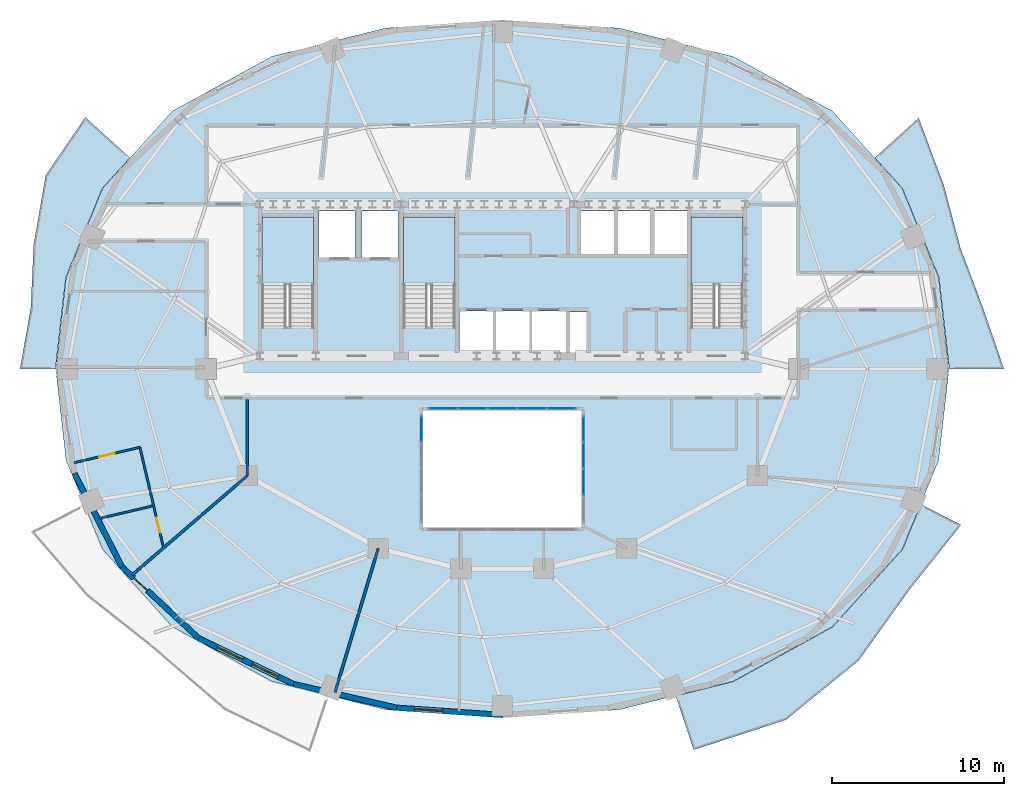
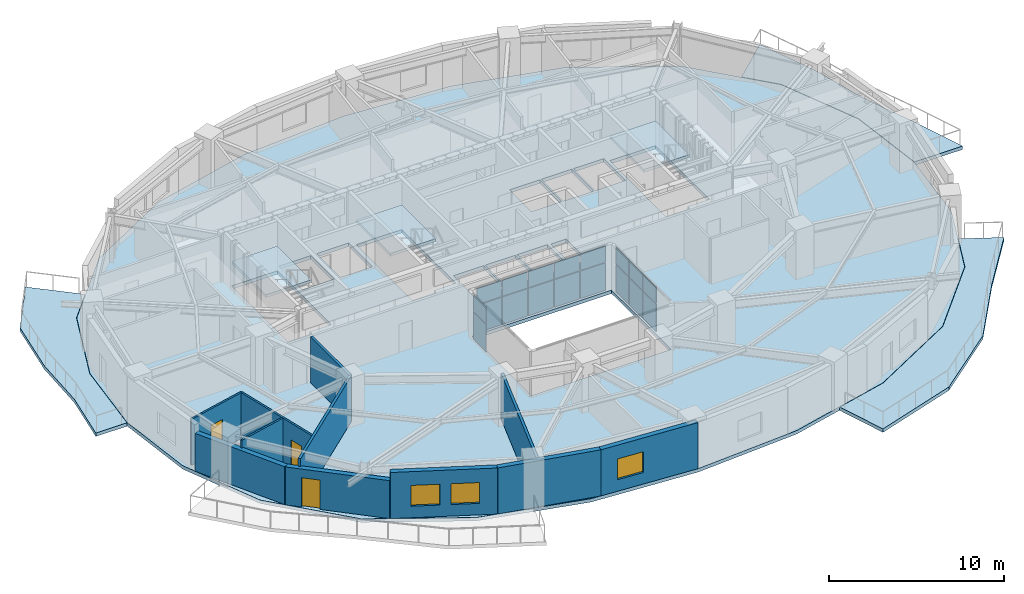
# One storey, part 5 of 13: 18 plates, 11 walls, 7 slabs, 3 doors, 3 windows, 6 openings, 6 elements without a shape of their own.
"""IFC4 building model written with IfcOpenShell, lengths in metres."""

from ifc_helpers import new_model, si_unit, direction, frame, frame_2d, origin, origin_2d, place, context, subcontext, project, spatial, polyline, rectangle, outline, extrude, material, layer, layer_set, type_object, element, fill, aggregate, save


model = new_model("IFC4")

# Units and contexts
model_context = context("Model", 3, precision=1e-05, world=origin(), true_north=direction((0.0, 1.0)))
body_context = subcontext(model_context, "Body", "Model", "MODEL_VIEW")
ifc_project = project(units=[si_unit("LENGTHUNIT", "METRE"), si_unit("AREAUNIT", "SQUARE_METRE"), si_unit("VOLUMEUNIT", "CUBIC_METRE"), si_unit("PLANEANGLEUNIT", "RADIAN"), si_unit("MASSUNIT", "GRAM", prefix="KILO")], contexts=[model_context])

# Site, building, storey
site_placement = place(None, origin())
site = spatial("IfcSite", under=ifc_project, at=site_placement, CompositionType="ELEMENT")
building_placement = place(site_placement, origin())
building = spatial("IfcBuilding", under=site, at=building_placement, Name="Haldorwick Loom Tower", CompositionType="ELEMENT")
storey_placement = place(building_placement, frame((0.0, 0.0, 175.14990234375)))
storey = spatial("IfcBuildingStorey", under=building, at=storey_placement, Name="L47", CompositionType="ELEMENT", Elevation=175.14990234375)

# Curtain wall, plates
ifc_material_1 = material(Name="Thermally Broken Anodized Aluminium Curtain Wall Framing", Category="aluminium")
curtain_wall_type = type_object("IfcCurtainWallType", Name="ARC-CW-03", PredefinedType="NOTDEFINED", material=ifc_material_1)
curtain_wall_1_placement = place(storey_placement, origin())
curtain_wall_1 = element("IfcCurtainWall", 1, at=curtain_wall_1_placement, inside=storey, type_object=curtain_wall_type, Name="L47 Atrium Glazed Screen N", PredefinedType="NOTDEFINED")
ifc_material_2 = material(Name="Triple-Glazed Low-E Argon Insulated Glazing Unit", Category="glass")
ifc_layer_1 = layer(ifc_material_2, 0.04296875, Name="Triple-Glazed Low-E Argon Insulated Glazing Unit", Category="glass")
ifc_layer_set_1 = layer_set([ifc_layer_1], Name="Triple-Glazed Low-E Argon Insulated Glazing Unit")
plate_type = type_object("IfcPlateType", Name="ARC-CWP-03", PredefinedType="CURTAIN_PANEL", material=ifc_layer_set_1)
plate_1_placement = place(storey_placement, frame((32.576416015625, 23.699951171875, 0.066162109375), z_axis=(0.0, 0.0, 1.0), x_axis=(1.0, 0.0, 0.0)))
plate_1 = element("IfcPlate", 2, at=plate_1_placement, type_object=plate_type, Name="CW-03 panel 1.1", PredefinedType="CURTAIN_PANEL", context=body_context, shape_type="SweptSolid", body=[
    extrude(rectangle(XDim=1.62109375, YDim=0.04296875, at=origin_2d()), origin(), (0.0, 0.0, 1.0), 1.90087890625),
])
plate_2_placement = place(storey_placement, frame((32.576416015625, 23.699951171875, 2.033203125), z_axis=(0.0, 0.0, 1.0), x_axis=(1.0, 0.0, 0.0)))
plate_2 = element("IfcPlate", 3, at=plate_2_placement, type_object=plate_type, Name="CW-03 panel 1.2", PredefinedType="CURTAIN_PANEL", context=body_context, shape_type="SweptSolid", body=[
    extrude(rectangle(XDim=1.62109375, YDim=0.04296875, at=origin_2d()), origin(), (0.0, 0.0, 1.0), 1.111083984375),
])
plate_3_placement = place(storey_placement, frame((34.280029296875, 23.699951171875, 0.066162109375), z_axis=(0.0, 0.0, 1.0), x_axis=(1.0, 0.0, 0.0)))
plate_3 = element("IfcPlate", 4, at=plate_3_placement, type_object=plate_type, Name="CW-03 panel 2.1", PredefinedType="CURTAIN_PANEL", context=body_context, shape_type="SweptSolid", body=[
    extrude(rectangle(XDim=1.654052734375, YDim=0.04296875, at=origin_2d()), origin(), (0.0, 0.0, 1.0), 1.90087890625),
])
plate_4_placement = place(storey_placement, frame((34.280029296875, 23.699951171875, 2.033203125), z_axis=(0.0, 0.0, 1.0), x_axis=(1.0, 0.0, 0.0)))
plate_4 = element("IfcPlate", 5, at=plate_4_placement, type_object=plate_type, Name="CW-03 panel 2.2", PredefinedType="CURTAIN_PANEL", context=body_context, shape_type="SweptSolid", body=[
    extrude(rectangle(XDim=1.654052734375, YDim=0.04296875, at=origin_2d()), origin(), (0.0, 0.0, 1.0), 1.111083984375),
])
plate_5_placement = place(storey_placement, frame((36.0, 23.699951171875, 0.066162109375), z_axis=(0.0, 0.0, 1.0), x_axis=(1.0, 0.0, 0.0)))
plate_5 = element("IfcPlate", 6, at=plate_5_placement, type_object=plate_type, Name="CW-03 panel 3.1", PredefinedType="CURTAIN_PANEL", context=body_context, shape_type="SweptSolid", body=[
    extrude(rectangle(XDim=1.654052734375, YDim=0.04296875, at=origin_2d()), origin(), (0.0, 0.0, 1.0), 1.90087890625),
])
plate_6_placement = place(storey_placement, frame((36.0, 23.699951171875, 2.033203125), z_axis=(0.0, 0.0, 1.0), x_axis=(1.0, 0.0, 0.0)))
plate_6 = element("IfcPlate", 7, at=plate_6_placement, type_object=plate_type, Name="CW-03 panel 3.2", PredefinedType="CURTAIN_PANEL", context=body_context, shape_type="SweptSolid", body=[
    extrude(rectangle(XDim=1.654052734375, YDim=0.04296875, at=origin_2d()), origin(), (0.0, 0.0, 1.0), 1.111083984375),
])
plate_7_placement = place(storey_placement, frame((37.719970703125, 23.699951171875, 0.066162109375), z_axis=(0.0, 0.0, 1.0), x_axis=(1.0, 0.0, 0.0)))
plate_7 = element("IfcPlate", 8, at=plate_7_placement, type_object=plate_type, Name="CW-03 panel 4.1", PredefinedType="CURTAIN_PANEL", context=body_context, shape_type="SweptSolid", body=[
    extrude(rectangle(XDim=1.654052734375, YDim=0.04296875, at=origin_2d()), origin(), (0.0, 0.0, 1.0), 1.90087890625),
])
plate_8_placement = place(storey_placement, frame((37.719970703125, 23.699951171875, 2.033203125), z_axis=(0.0, 0.0, 1.0), x_axis=(1.0, 0.0, 0.0)))
plate_8 = element("IfcPlate", 9, at=plate_8_placement, type_object=plate_type, Name="CW-03 panel 4.2", PredefinedType="CURTAIN_PANEL", context=body_context, shape_type="SweptSolid", body=[
    extrude(rectangle(XDim=1.654052734375, YDim=0.04296875, at=origin_2d()), origin(), (0.0, 0.0, 1.0), 1.111083984375),
])
plate_9_placement = place(storey_placement, frame((39.423583984375, 23.699951171875, 0.066162109375), z_axis=(0.0, 0.0, 1.0), x_axis=(1.0, 0.0, 0.0)))
plate_9 = element("IfcPlate", 10, at=plate_9_placement, type_object=plate_type, Name="CW-03 panel 5.1", PredefinedType="CURTAIN_PANEL", context=body_context, shape_type="SweptSolid", body=[
    extrude(rectangle(XDim=1.62109375, YDim=0.04296875, at=origin_2d()), origin(), (0.0, 0.0, 1.0), 1.90087890625),
])
plate_10_placement = place(storey_placement, frame((39.423583984375, 23.699951171875, 2.033203125), z_axis=(0.0, 0.0, 1.0), x_axis=(1.0, 0.0, 0.0)))
plate_10 = element("IfcPlate", 11, at=plate_10_placement, type_object=plate_type, Name="CW-03 panel 5.2", PredefinedType="CURTAIN_PANEL", context=body_context, shape_type="SweptSolid", body=[
    extrude(rectangle(XDim=1.62109375, YDim=0.04296875, at=origin_2d()), origin(), (0.0, 0.0, 1.0), 1.111083984375),
])
aggregate(curtain_wall_1, [plate_1, plate_2, plate_3, plate_4, plate_5, plate_6, plate_7, plate_8, plate_9, plate_10])

curtain_wall_2_placement = place(storey_placement, origin())
curtain_wall_2 = element("IfcCurtainWall", 12, at=curtain_wall_2_placement, inside=storey, type_object=curtain_wall_type, Name="L47 Atrium Glazed Screen W", PredefinedType="NOTDEFINED")
plate_11_placement = place(storey_placement, frame((31.300048828125, 22.508544921875, 0.066162109375), z_axis=(0.0, 0.0, 1.0), x_axis=(0.0, 1.0, 0.0)))
plate_11 = element("IfcPlate", 13, at=plate_11_placement, type_object=plate_type, Name="CW-03 panel 4.1", PredefinedType="CURTAIN_PANEL", context=body_context, shape_type="SweptSolid", body=[
    extrude(rectangle(XDim=1.450927734375, YDim=0.04296875, at=origin_2d()), origin(), (0.0, 0.0, 1.0), 1.90087890625),
])
plate_12_placement = place(storey_placement, frame((31.300048828125, 22.508544921875, 2.033203125), z_axis=(0.0, 0.0, 1.0), x_axis=(0.0, 1.0, 0.0)))
plate_12 = element("IfcPlate", 14, at=plate_12_placement, type_object=plate_type, Name="CW-03 panel 4.2", PredefinedType="CURTAIN_PANEL", context=body_context, shape_type="SweptSolid", body=[
    extrude(rectangle(XDim=1.450927734375, YDim=0.04296875, at=origin_2d()), origin(), (0.0, 0.0, 1.0), 1.111083984375),
])
aggregate(curtain_wall_2, [plate_11, plate_12])

curtain_wall_3_placement = place(storey_placement, origin())
curtain_wall_3 = element("IfcCurtainWall", 15, at=curtain_wall_3_placement, inside=storey, type_object=curtain_wall_type, Name="L47 Atrium Glazed Screen E", PredefinedType="NOTDEFINED")
plate_13_placement = place(storey_placement, frame((40.699951171875, 22.508544921875, 0.066162109375), z_axis=(0.0, 0.0, 1.0), x_axis=(0.0, -1.0, 0.0)))
plate_13 = element("IfcPlate", 16, at=plate_13_placement, type_object=plate_type, Name="CW-03 panel 1.1", PredefinedType="CURTAIN_PANEL", context=body_context, shape_type="SweptSolid", body=[
    extrude(rectangle(XDim=1.450927734375, YDim=0.04296875, at=origin_2d()), origin(), (0.0, 0.0, 1.0), 1.90087890625),
])
plate_14_placement = place(storey_placement, frame((40.699951171875, 22.508544921875, 2.033203125), z_axis=(0.0, 0.0, 1.0), x_axis=(0.0, -1.0, 0.0)))
plate_14 = element("IfcPlate", 17, at=plate_14_placement, type_object=plate_type, Name="CW-03 panel 1.2", PredefinedType="CURTAIN_PANEL", context=body_context, shape_type="SweptSolid", body=[
    extrude(rectangle(XDim=1.450927734375, YDim=0.04296875, at=origin_2d()), origin(), (0.0, 0.0, 1.0), 1.111083984375),
])
plate_15_placement = place(storey_placement, frame((40.699951171875, 20.97509765625, 0.066162109375), z_axis=(0.0, 0.0, 1.0), x_axis=(0.0, -1.0, 0.0)))
plate_15 = element("IfcPlate", 18, at=plate_15_placement, type_object=plate_type, Name="CW-03 panel 2.1", PredefinedType="CURTAIN_PANEL", context=body_context, shape_type="SweptSolid", body=[
    extrude(rectangle(XDim=1.48388671875, YDim=0.04296875, at=origin_2d()), origin(), (0.0, 0.0, 1.0), 1.90087890625),
])
plate_16_placement = place(storey_placement, frame((40.699951171875, 20.97509765625, 2.033203125), z_axis=(0.0, 0.0, 1.0), x_axis=(0.0, -1.0, 0.0)))
plate_16 = element("IfcPlate", 19, at=plate_16_placement, type_object=plate_type, Name="CW-03 panel 2.2", PredefinedType="CURTAIN_PANEL", context=body_context, shape_type="SweptSolid", body=[
    extrude(rectangle(XDim=1.48388671875, YDim=0.04296875, at=origin_2d()), origin(), (0.0, 0.0, 1.0), 1.111083984375),
])
plate_17_placement = place(storey_placement, frame((40.699951171875, 19.425048828125, 0.066162109375), z_axis=(0.0, 0.0, 1.0), x_axis=(0.0, -1.0, 0.0)))
plate_17 = element("IfcPlate", 20, at=plate_17_placement, type_object=plate_type, Name="CW-03 panel 3.1", PredefinedType="CURTAIN_PANEL", context=body_context, shape_type="SweptSolid", body=[
    extrude(rectangle(XDim=1.48388671875, YDim=0.04296875, at=origin_2d()), origin(), (0.0, 0.0, 1.0), 1.90087890625),
])
plate_18_placement = place(storey_placement, frame((40.699951171875, 19.425048828125, 2.033203125), z_axis=(0.0, 0.0, 1.0), x_axis=(0.0, -1.0, 0.0)))
plate_18 = element("IfcPlate", 21, at=plate_18_placement, type_object=plate_type, Name="CW-03 panel 3.2", PredefinedType="CURTAIN_PANEL", context=body_context, shape_type="SweptSolid", body=[
    extrude(rectangle(XDim=1.48388671875, YDim=0.04296875, at=origin_2d()), origin(), (0.0, 0.0, 1.0), 1.111083984375),
])
aggregate(curtain_wall_3, [plate_13, plate_14, plate_15, plate_16, plate_17, plate_18])

# Slabs
ifc_material_3 = material(Name="Concrete C40 (40 MPa)", Category="concrete")
ifc_layer_2 = layer(ifc_material_3, 0.239990234375, Name="Concrete C40 (40 MPa)", Category="concrete")
ifc_layer_set_2 = layer_set([ifc_layer_2], Name="Concrete C40 (40 MPa)")
slab_type_1 = type_object("IfcSlabType", Name="STR-SLB-BAL240", PredefinedType="FLOOR", material=ifc_layer_set_2)
slab_1_placement = place(storey_placement, frame((0.0, 0.0, -0.239990234375)))
element("IfcSlab", 22, at=slab_1_placement, inside=storey, type_object=slab_type_1, Name="L47 Sinusoidal Balcony Terrace BAL_SE", PredefinedType="FLOOR", context=body_context, shape_type="SweptSolid", body=[
    extrude(outline(polyline([(60.284423828125, 18.14208984375), (59.216064453125, 15.530517578125), (59.21533203125, 15.529296875), (59.21484375, 15.528076171875), (59.214111328125, 15.527099609375), (59.213134765625, 15.526123046875), (55.16162109375, 11.031005859375), (55.16064453125, 11.02978515625), (55.1591796875, 11.028564453125), (55.15771484375, 11.02783203125), (49.40283203125, 7.863037109375), (49.40185546875, 7.8623046875), (49.400634765625, 7.86181640625), (49.3994140625, 7.861572265625), (46.05908203125, 7.027587890625), (47.103515625, 3.901123046875), (52.455322265625, 5.6396484375), (56.677978515625, 9.08544921875), (59.65380859375, 13.228271484375), (62.6103515625, 16.9501953125), (60.284423828125, 18.14208984375)])), origin(), (0.0, 0.0, 1.0), 0.239990234375),
])
slab_2_placement = place(storey_placement, frame((0.0, 0.0, -0.239990234375)))
element("IfcSlab", 23, at=slab_2_placement, inside=storey, type_object=slab_type_1, Name="L47 Sinusoidal Balcony Terrace BAL_WNW", PredefinedType="FLOOR", context=body_context, shape_type="SweptSolid", body=[
    extrude(outline(polyline([(10.068115234375, 26.0), (10.068115234375, 26.001708984375), (10.669677734375, 31.30029296875), (10.669921875, 31.3017578125), (10.670166015625, 31.302978515625), (10.670654296875, 31.30419921875), (12.783935546875, 36.469482421875), (12.78466796875, 36.470703125), (12.78515625, 36.4716796875), (12.785888671875, 36.472900390625), (12.786865234375, 36.473876953125), (14.390380859375, 38.25341796875), (11.7998046875, 40.59716796875), (9.505615234375, 37.237060546875), (8.81103515625, 33.25048828125), (8.63427734375, 29.5166015625), (8.011474609375, 26.0), (10.068115234375, 26.0)])), origin(), (0.0, 0.0, 1.0), 0.239990234375),
])
slab_3_placement = place(storey_placement, frame((0.0, 0.0, -0.239990234375)))
element("IfcSlab", 24, at=slab_3_placement, inside=storey, type_object=slab_type_1, Name="L47 Sinusoidal Balcony Terrace BAL_ENE", PredefinedType="FLOOR", context=body_context, shape_type="SweptSolid", body=[
    extrude(outline(polyline([(57.609619140625, 38.25341796875), (59.213134765625, 36.473876953125), (59.214111328125, 36.472900390625), (59.21484375, 36.4716796875), (59.21533203125, 36.470703125), (59.216064453125, 36.469482421875), (61.329345703125, 31.30419921875), (61.329833984375, 31.302978515625), (61.330078125, 31.3017578125), (61.330322265625, 31.30029296875), (61.931884765625, 26.001708984375), (61.931884765625, 26.0), (65.10546875, 26.0), (63.86279296875, 29.617431640625), (62.582763671875, 32.998291015625), (61.61376953125, 36.66259765625), (60.1552734375, 40.55517578125), (57.609619140625, 38.25341796875)])), origin(), (0.0, 0.0, 1.0), 0.239990234375),
])

# Stair, slab
stair_type = type_object("IfcStairType", Name="STR-STR-CORE", PredefinedType="HALF_TURN_STAIR", material=ifc_material_3)
stair_1_placement = place(storey_placement, origin())
stair_1 = element("IfcStair", 25, at=stair_1_placement, inside=storey, type_object=stair_type, Name="L47 Exit Stair ST-01", PredefinedType="HALF_TURN_STAIR")
ifc_layer_3 = layer(ifc_material_3, 0.199951171875, Name="Concrete C40 (40 MPa)", Category="concrete")
ifc_layer_set_3 = layer_set([ifc_layer_3], Name="Concrete C40 (40 MPa)")
slab_type_2 = type_object("IfcSlabType", Name="STR-SLB-LAND200", PredefinedType="LANDING", material=ifc_layer_set_3)
slab_4_placement = place(storey_placement, frame((0.0, 0.0, 1.525146484375)))
slab_4 = element("IfcSlab", 26, at=slab_4_placement, type_object=slab_type_2, Name="ST-01 landing 1", PredefinedType="LANDING", context=body_context, shape_type="SweptSolid", body=[
    extrude(outline(polyline([(25.050048828125, 30.919921875), (25.050048828125, 34.800048828125), (22.050048828125, 34.800048828125), (22.050048828125, 30.919921875), (25.050048828125, 30.919921875)])), origin(), (0.0, 0.0, 1.0), 0.199951171875),
])
aggregate(stair_1, [slab_4])

stair_2_placement = place(storey_placement, origin())
stair_2 = element("IfcStair", 27, at=stair_2_placement, inside=storey, type_object=stair_type, Name="L47 Exit Stair ST-02", PredefinedType="HALF_TURN_STAIR")
slab_5_placement = place(storey_placement, frame((0.0, 0.0, 1.525146484375)))
slab_5 = element("IfcSlab", 28, at=slab_5_placement, type_object=slab_type_2, Name="ST-02 landing 1", PredefinedType="LANDING", context=body_context, shape_type="SweptSolid", body=[
    extrude(outline(polyline([(49.949951171875, 30.919921875), (49.949951171875, 34.800048828125), (46.949951171875, 34.800048828125), (46.949951171875, 30.919921875), (49.949951171875, 30.919921875)])), origin(), (0.0, 0.0, 1.0), 0.199951171875),
])
aggregate(stair_2, [slab_5])

stair_3_placement = place(storey_placement, origin())
stair_3 = element("IfcStair", 29, at=stair_3_placement, inside=storey, type_object=stair_type, Name="L47 Exit Stair ST-03", PredefinedType="HALF_TURN_STAIR")
slab_6_placement = place(storey_placement, frame((0.0, 0.0, 1.525146484375)))
slab_6 = element("IfcSlab", 30, at=slab_6_placement, type_object=slab_type_2, Name="ST-03 landing 1", PredefinedType="LANDING", context=body_context, shape_type="SweptSolid", body=[
    extrude(outline(polyline([(33.25, 30.919921875), (33.25, 34.800048828125), (30.25, 34.800048828125), (30.25, 30.919921875), (33.25, 30.919921875)])), origin(), (0.0, 0.0, 1.0), 0.199951171875),
])
aggregate(stair_3, [slab_6])

# Slab
ifc_layer_4 = layer(ifc_material_3, 0.239990234375, Name="Concrete C40 (40 MPa)", Category="concrete")
ifc_layer_set_4 = layer_set([ifc_layer_4], Name="Concrete C40 (40 MPa)")
slab_type_3 = type_object("IfcSlabType", Name="STR-SLB-RES240", PredefinedType="FLOOR", material=ifc_layer_set_4)
slab_7_placement = place(storey_placement, frame((0.0, 0.0, -0.239990234375)))
element("IfcSlab", 31, at=slab_7_placement, inside=storey, type_object=slab_type_3, Name="L47 Residential Structural Floor Slab", PredefinedType="FLOOR", context=body_context, shape_type="SweptSolid", body=[
    extrude(outline(polyline([(55.150634765625, 11.041015625), (59.2021484375, 15.5361328125), (61.3154296875, 20.701416015625), (61.9169921875, 26.0), (61.3154296875, 31.298583984375), (59.2021484375, 36.4638671875), (55.150634765625, 40.958984375), (49.395751953125, 44.123779296875), (42.783203125, 45.774658203125), (36.0, 46.24462890625), (29.216796875, 45.774658203125), (22.604248046875, 44.123779296875), (16.849365234375, 40.958984375), (12.7978515625, 36.4638671875), (10.6845703125, 31.298583984375), (10.0830078125, 26.0), (10.6845703125, 20.701416015625), (12.7978515625, 15.5361328125), (16.849365234375, 11.041015625), (22.604248046875, 7.876220703125), (29.216796875, 6.225341796875), (36.0, 5.75537109375), (42.783203125, 6.225341796875), (49.395751953125, 7.876220703125), (55.150634765625, 11.041015625)]), holes=[polyline([(31.39990234375, 16.800048828125), (31.39990234375, 23.60009765625), (40.60009765625, 23.60009765625), (40.60009765625, 16.800048828125), (31.39990234375, 16.800048828125)]), polyline([(33.5, 26.85009765625), (33.5, 29.35009765625), (35.5, 29.35009765625), (35.5, 26.85009765625), (33.5, 26.85009765625)]), polyline([(35.60009765625, 26.85009765625), (35.60009765625, 29.35009765625), (37.60009765625, 29.35009765625), (37.60009765625, 26.85009765625), (35.60009765625, 26.85009765625)]), polyline([(23.6201171875, 28.39990234375), (22.050048828125, 28.39990234375), (22.050048828125, 34.800048828125), (25.050048828125, 34.800048828125), (25.050048828125, 28.639892578125), (23.6201171875, 28.639892578125), (23.6201171875, 28.39990234375)]), polyline([(30.25, 28.39990234375), (30.25, 34.800048828125), (33.25, 34.800048828125), (33.25, 28.639892578125), (31.820068359375, 28.639892578125), (31.820068359375, 28.39990234375), (30.25, 28.39990234375)]), polyline([(25.35009765625, 32.449951171875), (25.35009765625, 35.14990234375), (27.449951171875, 35.14990234375), (27.449951171875, 32.449951171875), (25.35009765625, 32.449951171875)]), polyline([(29.949951171875, 32.449951171875), (27.85009765625, 32.449951171875), (27.85009765625, 35.14990234375), (29.949951171875, 35.14990234375), (29.949951171875, 32.449951171875)]), polyline([(37.699951171875, 26.85009765625), (37.699951171875, 29.35009765625), (39.699951171875, 29.35009765625), (39.699951171875, 26.85009765625), (37.699951171875, 26.85009765625)]), polyline([(39.89990234375, 26.89990234375), (39.89990234375, 29.300048828125), (40.89990234375, 29.300048828125), (40.89990234375, 26.89990234375), (39.89990234375, 26.89990234375)]), polyline([(46.949951171875, 28.39990234375), (46.949951171875, 34.800048828125), (49.949951171875, 34.800048828125), (49.949951171875, 28.639892578125), (48.52001953125, 28.639892578125), (48.52001953125, 28.39990234375), (46.949951171875, 28.39990234375)]), polyline([(40.550048828125, 32.64990234375), (40.550048828125, 35.14990234375), (42.550048828125, 35.14990234375), (42.550048828125, 32.64990234375), (40.550048828125, 32.64990234375)]), polyline([(42.64990234375, 32.64990234375), (42.64990234375, 35.14990234375), (44.64990234375, 35.14990234375), (44.64990234375, 32.64990234375), (42.64990234375, 32.64990234375)]), polyline([(44.75, 32.64990234375), (44.75, 35.14990234375), (46.75, 35.14990234375), (46.75, 32.64990234375), (44.75, 32.64990234375)])]), origin(), (0.0, 0.0, 1.0), 0.239990234375),
])

# Wall
ifc_material_4 = material(Name="Pressed Clay Face Brick and Insulated Masonry Backup Assembly", Category="masonry")
ifc_layer_5 = layer(ifc_material_4, 0.320068359375, Name="Pressed Clay Face Brick and Insulated Masonry Backup Assembly", Category="masonry")
ifc_layer_set_5 = layer_set([ifc_layer_5], Name="Pressed Clay Face Brick and Insulated Masonry Backup Assembly")
wall_type_1 = type_object("IfcWallType", Name="ARC-WL-EXT320", PredefinedType="STANDARD", material=ifc_layer_set_5)
wall_1_placement = place(storey_placement, frame((11.1650390625, 19.944580078125, 0.0), z_axis=(0.0, 0.0, 1.0), x_axis=(0.453172129629, -0.89142303141, 0.0)))
element("IfcWall", 32, at=wall_1_placement, inside=storey, type_object=wall_type_1, Name="L47 Brick Pier and Spandrel Wall 14", PredefinedType="STANDARD", context=body_context, shape_type="SweptSolid", body=[
    extrude(rectangle(XDim=6.086669921875, YDim=0.320068359375, at=frame_2d((3.04345703125, 0.0))), origin(), (0.0, 0.0, 1.0), 2.64111328125),
])

# Wall, opening, door
wall_2_placement = place(storey_placement, frame((13.92333984375, 14.518798828125, 0.0), z_axis=(0.0, 0.0, 1.0), x_axis=(0.732001571644, -0.681302942244, 0.0)))
wall_2 = element("IfcWall", 33, at=wall_2_placement, inside=storey, type_object=wall_type_1, Name="L47 Brick Pier and Spandrel Wall 15", PredefinedType="STANDARD", context=body_context, shape_type="SweptSolid", body=[
    extrude(rectangle(XDim=6.0869140625, YDim=0.320068359375, at=frame_2d((3.04345703125, 0.0))), origin(), (0.0, 0.0, 1.0), 2.64111328125),
])
opening_1_placement = place(wall_2_placement, frame((0.94091796875, 0.0, 0.0)))
opening_1 = element("IfcOpeningElement", 34, at=opening_1_placement, cuts=wall_2, Name="Opening D-BL11", PredefinedType="OPENING", context=body_context, shape_type="SweptSolid", body=[
    extrude(rectangle(XDim=1.080078125, YDim=2.0400390625, at=frame_2d((0.5400390625, 1.02001953125))), frame((0.0, 0.169921875, 0.0), z_axis=(0.0, -1.0, 0.0), x_axis=(1.0, 0.0, 0.0)), (0.0, 0.0, 1.0), 0.340087890625),
])
door_type_1 = type_object("IfcDoorType", Name="ARC-DR-BAL110", OperationType="NOTDEFINED", PredefinedType="DOOR", material=ifc_material_1)
door_1_placement = place(opening_1_placement, origin())
door_1 = element("IfcDoor", 35, at=door_1_placement, inside=storey, type_object=door_type_1, Name="L47 Outdoor Terrace Door SLB-L47-BAL_SW", OperationType="SINGLE_SWING_LEFT", OverallHeight=2.0400390625, OverallWidth=1.080078125, PredefinedType="DOOR", context=body_context, shape_type="SweptSolid", body=[
    extrude(rectangle(XDim=1.080078125, YDim=2.0400390625, at=frame_2d((0.5400390625, 1.02001953125))), frame((0.0, 0.02490234375, 0.0), z_axis=(0.0, -1.0, 0.0), x_axis=(1.0, 0.0, 0.0)), (0.0, 0.0, 1.0), 0.050048828125),
])
fill(opening_1, door_1)

# Wall, openings, windows
wall_3_placement = place(storey_placement, frame((18.37890625, 10.371826171875, 0.0), z_axis=(0.0, 0.0, 1.0), x_axis=(0.900472429216, -0.43491309962, 0.0)))
wall_3 = element("IfcWall", 36, at=wall_3_placement, inside=storey, type_object=wall_type_1, Name="L47 Brick Pier and Spandrel Wall 16", PredefinedType="STANDARD", context=body_context, shape_type="SweptSolid", body=[
    extrude(rectangle(XDim=6.1181640625, YDim=0.320068359375, at=frame_2d((3.05908203125, 0.0))), origin(), (0.0, 0.0, 1.0), 3.210205078125),
])
opening_2_placement = place(wall_3_placement, frame((1.181884765625, 0.0, 0.800048828125)))
opening_2 = element("IfcOpeningElement", 37, at=opening_2_placement, cuts=wall_3, Name="Opening W-01B", PredefinedType="OPENING", context=body_context, shape_type="SweptSolid", body=[
    extrude(rectangle(XDim=1.64990234375, YDim=1.449951171875, at=frame_2d((0.824951171875, 0.72509765625))), frame((0.0, 0.169921875, 0.0), z_axis=(0.0, -1.0, 0.0), x_axis=(1.0, 0.0, 0.0)), (0.0, 0.0, 1.0), 0.340087890625),
])
opening_3_placement = place(wall_3_placement, frame((3.4580078125, 0.0, 0.800048828125)))
opening_3 = element("IfcOpeningElement", 38, at=opening_3_placement, cuts=wall_3, Name="Opening W-01B", PredefinedType="OPENING", context=body_context, shape_type="SweptSolid", body=[
    extrude(rectangle(XDim=1.64990234375, YDim=1.449951171875, at=frame_2d((0.824951171875, 0.72509765625))), frame((0.0, 0.169921875, 0.0), z_axis=(0.0, -1.0, 0.0), x_axis=(1.0, 0.0, 0.0)), (0.0, 0.0, 1.0), 0.340087890625),
])
window_type = type_object("IfcWindowType", Name="ARC-WIN-W165", PartitioningType="SINGLE_PANEL", PredefinedType="WINDOW", material=ifc_material_2)
window_1_placement = place(opening_2_placement, origin())
window_1 = element("IfcWindow", 39, at=window_1_placement, inside=storey, type_object=window_type, Name="L47 Deep-Set Zone 7A Window 16", OverallHeight=1.449951171875, OverallWidth=1.64990234375, PartitioningType="SINGLE_PANEL", PredefinedType="WINDOW", context=body_context, shape_type="SweptSolid", body=[
    extrude(rectangle(XDim=1.64990234375, YDim=1.449951171875, at=frame_2d((0.824951171875, 0.72509765625))), frame((0.0, 0.030029296875, 0.0), z_axis=(0.0, -1.0, 0.0), x_axis=(1.0, 0.0, 0.0)), (0.0, 0.0, 1.0), 0.06005859375),
])
fill(opening_2, window_1)
window_2_placement = place(opening_3_placement, origin())
window_2 = element("IfcWindow", 40, at=window_2_placement, inside=storey, type_object=window_type, Name="L47 Deep-Set Zone 7A Window 16", OverallHeight=1.449951171875, OverallWidth=1.64990234375, PartitioningType="SINGLE_PANEL", PredefinedType="WINDOW", context=body_context, shape_type="SweptSolid", body=[
    extrude(rectangle(XDim=1.64990234375, YDim=1.449951171875, at=frame_2d((0.824951171875, 0.72509765625))), frame((0.0, 0.030029296875, 0.0), z_axis=(0.0, -1.0, 0.0), x_axis=(1.0, 0.0, 0.0)), (0.0, 0.0, 1.0), 0.06005859375),
])
fill(opening_3, window_2)

# Wall
wall_4_placement = place(storey_placement, frame((23.88818359375, 7.7109375, 0.0), z_axis=(0.0, 0.0, 1.0), x_axis=(0.974593223547, -0.223982250674, 0.0)))
element("IfcWall", 41, at=wall_4_placement, inside=storey, type_object=wall_type_1, Name="L47 Brick Pier and Spandrel Wall 17", PredefinedType="STANDARD", context=body_context, shape_type="SweptSolid", body=[
    extrude(rectangle(XDim=6.138916015625, YDim=0.320068359375, at=frame_2d((3.0693359375, 0.0))), origin(), (0.0, 0.0, 1.0), 3.210205078125),
])

# Wall, opening, window
wall_5_placement = place(storey_placement, frame((29.87109375, 6.3359375, 0.0), z_axis=(0.0, 0.0, 1.0), x_axis=(0.997652942988, -0.068473391522, 0.0)))
wall_5 = element("IfcWall", 42, at=wall_5_placement, inside=storey, type_object=wall_type_1, Name="L47 Brick Pier and Spandrel Wall 18", PredefinedType="STANDARD", context=body_context, shape_type="SweptSolid", body=[
    extrude(rectangle(XDim=6.143310546875, YDim=0.320068359375, at=frame_2d((3.07177734375, 0.0))), origin(), (0.0, 0.0, 1.0), 3.210205078125),
])
opening_4_placement = place(wall_5_placement, frame((1.01806640625, 0.0, 0.800048828125)))
opening_4 = element("IfcOpeningElement", 43, at=opening_4_placement, cuts=wall_5, Name="Opening W-01B", PredefinedType="OPENING", context=body_context, shape_type="SweptSolid", body=[
    extrude(rectangle(XDim=1.64990234375, YDim=1.449951171875, at=frame_2d((0.824951171875, 0.72509765625))), frame((0.0, 0.169921875, 0.0), z_axis=(0.0, -1.0, 0.0), x_axis=(1.0, 0.0, 0.0)), (0.0, 0.0, 1.0), 0.340087890625),
])
window_3_placement = place(opening_4_placement, origin())
window_3 = element("IfcWindow", 44, at=window_3_placement, inside=storey, type_object=window_type, Name="L47 Deep-Set Zone 7A Window 18", OverallHeight=1.449951171875, OverallWidth=1.64990234375, PartitioningType="SINGLE_PANEL", PredefinedType="WINDOW", context=body_context, shape_type="SweptSolid", body=[
    extrude(rectangle(XDim=1.64990234375, YDim=1.449951171875, at=frame_2d((0.824951171875, 0.72509765625))), frame((0.0, 0.030029296875, 0.0), z_axis=(0.0, -1.0, 0.0), x_axis=(1.0, 0.0, 0.0)), (0.0, 0.0, 1.0), 0.06005859375),
])
fill(opening_4, window_3)

# Walls
ifc_material_5 = material(Name="Fire-Rated Type X Gypsum Stud Assembly EI 60")
ifc_layer_6 = layer(ifc_material_5, 0.159912109375, Name="Fire-Rated Type X Gypsum Stud Assembly EI 60")
ifc_layer_set_6 = layer_set([ifc_layer_6], Name="Fire-Rated Type X Gypsum Stud Assembly EI 60")
wall_type_2 = type_object("IfcWallType", Name="ARC-WL-FIRE160", PredefinedType="PARTITIONING", material=ifc_layer_set_6)
wall_6_placement = place(storey_placement, frame((28.800048828125, 15.60009765625, 0.0), z_axis=(0.0, 0.0, 1.0), x_axis=(-0.287271025091, -0.957849340003, 0.0)))
element("IfcWall", 45, at=wall_6_placement, inside=storey, type_object=wall_type_2, Name="L47 Residential Fire Partition L47-ICR-08", PredefinedType="PARTITIONING", context=body_context, shape_type="SweptSolid", body=[
    extrude(rectangle(XDim=8.742431640625, YDim=0.159912109375, at=frame_2d((4.37109375, 0.0))), origin(), (0.0, 0.0, 1.0), 3.195068359375),
])
wall_7_placement = place(storey_placement, frame((21.199951171875, 19.800048828125, 0.0), z_axis=(0.0, 0.0, 1.0), x_axis=(-0.757797722251, -0.652489549457, 0.0)))
element("IfcWall", 46, at=wall_7_placement, inside=storey, type_object=wall_type_2, Name="L47 Residential Fire Partition L47-ICR-10", PredefinedType="PARTITIONING", context=body_context, shape_type="SweptSolid", body=[
    extrude(rectangle(XDim=8.81201171875, YDim=0.159912109375, at=frame_2d((4.406005859375, 0.0))), origin(), (0.0, 0.0, 1.0), 3.195068359375),
])
wall_8_placement = place(storey_placement, frame((21.199951171875, 24.217041015625, 0.0), z_axis=(0.0, 0.0, 1.0), x_axis=(0.0, -1.0, 0.0)))
element("IfcWall", 47, at=wall_8_placement, inside=storey, type_object=wall_type_2, Name="L47 Residential Fire Partition L47-ICA-09", PredefinedType="PARTITIONING", context=body_context, shape_type="SweptSolid", body=[
    extrude(rectangle(XDim=4.4169921875, YDim=0.159912109375, at=frame_2d((2.20849609375, 0.0))), origin(), (0.0, 0.0, 1.0), 3.195068359375),
])

# Wall, opening, door
ifc_material_6 = material(Name="Acoustic Gypsum Stud Assembly STC 55")
ifc_layer_7 = layer(ifc_material_6, 0.1201171875, Name="Acoustic Gypsum Stud Assembly STC 55")
ifc_layer_set_7 = layer_set([ifc_layer_7], Name="Acoustic Gypsum Stud Assembly STC 55")
wall_type_3 = type_object("IfcWallType", Name="ARC-WL-PART120", PredefinedType="PARTITIONING", material=ifc_layer_set_7)
wall_9_placement = place(storey_placement, frame((14.967529296875, 21.45166015625, 0.0), z_axis=(0.0, 0.0, 1.0), x_axis=(0.22877880637, -0.973478432096, 0.0)))
wall_9 = element("IfcWall", 48, at=wall_9_placement, inside=storey, type_object=wall_type_3, Name="L47 Unit 47E Interior Partition", PredefinedType="PARTITIONING", context=body_context, shape_type="SweptSolid", body=[
    extrude(rectangle(XDim=5.90234375, YDim=0.1201171875, at=frame_2d((2.951171875, 0.0))), origin(), (0.0, 0.0, 1.0), 3.195068359375),
])
opening_5_placement = place(wall_9_placement, frame((4.2138671875, 0.0, 0.0)))
opening_5 = element("IfcOpeningElement", 49, at=opening_5_placement, cuts=wall_9, Name="Opening D-BT88", PredefinedType="OPENING", context=body_context, shape_type="SweptSolid", body=[
    extrude(rectangle(XDim=0.8798828125, YDim=2.02001953125, at=frame_2d((0.43994140625, 1.010009765625))), frame((0.0, 0.070068359375, 0.0), z_axis=(0.0, -1.0, 0.0), x_axis=(1.0, 0.0, 0.0)), (0.0, 0.0, 1.0), 0.14013671875),
])
ifc_material_7 = material(Name="Solid Core Birch Architectural Door")
door_type_2 = type_object("IfcDoorType", Name="ARC-DR-BATH88", OperationType="NOTDEFINED", PredefinedType="DOOR", material=ifc_material_7)
door_2_placement = place(opening_5_placement, origin())
door_2 = element("IfcDoor", 50, at=door_2_placement, inside=storey, type_object=door_type_2, Name="L47 Unit 47E Kitchen and Living Room to Unit 47E Bathroom Door", OperationType="SINGLE_SWING_RIGHT", OverallHeight=2.02001953125, OverallWidth=0.8798828125, PredefinedType="DOOR", context=body_context, shape_type="SweptSolid", body=[
    extrude(rectangle(XDim=0.8798828125, YDim=2.02001953125, at=frame_2d((0.43994140625, 1.010009765625))), frame((0.0, 0.02490234375, 0.0), z_axis=(0.0, -1.0, 0.0), x_axis=(1.0, 0.0, 0.0)), (0.0, 0.0, 1.0), 0.050048828125),
])
fill(opening_5, door_2)

wall_10_placement = place(storey_placement, frame((14.967529296875, 21.45166015625, 0.0), z_axis=(0.0, 0.0, 1.0), x_axis=(-0.97349119329, -0.228724499316, 0.0)))
wall_10 = element("IfcWall", 51, at=wall_10_placement, inside=storey, type_object=wall_type_3, Name="L47 Unit 47E Interior Partition", PredefinedType="PARTITIONING", context=body_context, shape_type="SweptSolid", body=[
    extrude(rectangle(XDim=3.933349609375, YDim=0.1201171875, at=frame_2d((1.966796875, 0.0))), origin(), (0.0, 0.0, 1.0), 3.195068359375),
])
opening_6_placement = place(wall_10_placement, frame((1.5166015625, 0.0, 0.0)))
opening_6 = element("IfcOpeningElement", 52, at=opening_6_placement, cuts=wall_10, Name="Opening D-IN90", PredefinedType="OPENING", context=body_context, shape_type="SweptSolid", body=[
    extrude(rectangle(XDim=0.89990234375, YDim=2.0400390625, at=frame_2d((0.449951171875, 1.02001953125))), frame((0.0, 0.070068359375, 0.0), z_axis=(0.0, -1.0, 0.0), x_axis=(1.0, 0.0, 0.0)), (0.0, 0.0, 1.0), 0.14013671875),
])
door_type_3 = type_object("IfcDoorType", Name="ARC-DR-INT90", OperationType="NOTDEFINED", PredefinedType="DOOR", material=ifc_material_7)
door_3_placement = place(opening_6_placement, origin())
door_3 = element("IfcDoor", 53, at=door_3_placement, inside=storey, type_object=door_type_3, Name="L47 Unit 47E Bedroom 1 to Unit 47E Kitchen and Living Room Door", OperationType="SINGLE_SWING_LEFT", OverallHeight=2.0400390625, OverallWidth=0.89990234375, PredefinedType="DOOR", context=body_context, shape_type="SweptSolid", body=[
    extrude(rectangle(XDim=0.89990234375, YDim=2.0400390625, at=frame_2d((0.449951171875, 1.02001953125))), frame((0.0, 0.02490234375, 0.0), z_axis=(0.0, -1.0, 0.0), x_axis=(1.0, 0.0, 0.0)), (0.0, 0.0, 1.0), 0.050048828125),
])
fill(opening_6, door_3)

# Wall
wall_11_placement = place(storey_placement, frame((15.702880859375, 18.046630859375, 0.0), z_axis=(0.0, 0.0, 1.0), x_axis=(-0.973487905923, -0.228738490467, 0.0)))
element("IfcWall", 54, at=wall_11_placement, inside=storey, type_object=wall_type_3, Name="L47 Unit 47E Interior Partition", PredefinedType="PARTITIONING", context=body_context, shape_type="SweptSolid", body=[
    extrude(rectangle(XDim=3.211669921875, YDim=0.1201171875, at=frame_2d((1.60595703125, 0.0))), origin(), (0.0, 0.0, 1.0), 3.195068359375),
])

save(model, "model.ifc")
